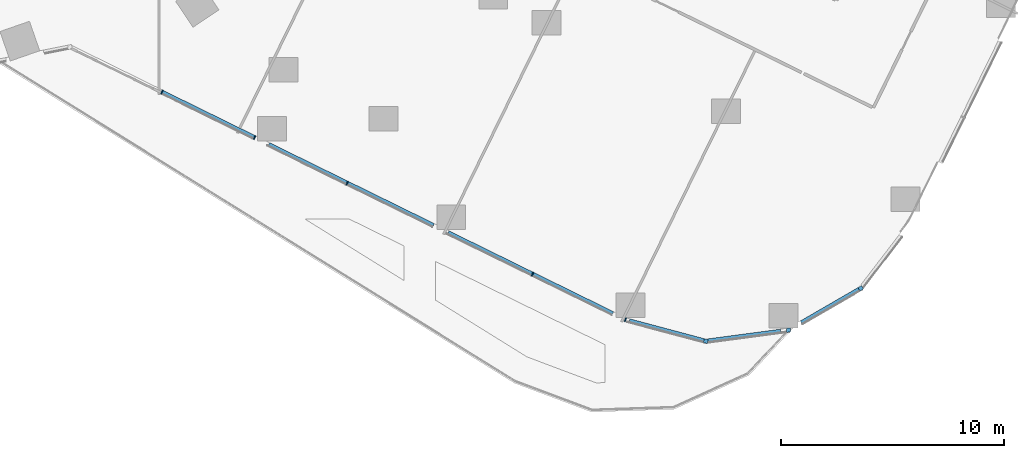
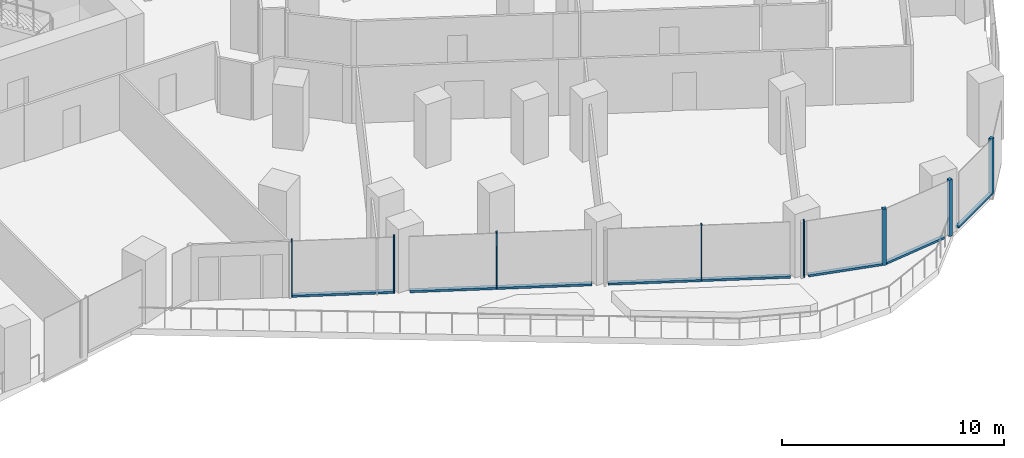
# One storey, part 8 of 32: 14 members, 4 elements without a shape of their own.
"""IFC4 building model written with IfcOpenShell, lengths in metres."""

from ifc_helpers import new_model, si_unit, direction, frame, origin, origin_2d, place, context, subcontext, project, spatial, rectangle, extrude, material, material_profile, profile_set, type_object, element, aggregate, save


model = new_model("IFC4")

# Units and contexts
model_context = context("Model", 3, precision=1e-05, world=origin(), true_north=direction((0.0, 1.0)))
body_context = subcontext(model_context, "Body", "Model", "MODEL_VIEW")
ifc_project = project(units=[si_unit("LENGTHUNIT", "METRE"), si_unit("AREAUNIT", "SQUARE_METRE"), si_unit("VOLUMEUNIT", "CUBIC_METRE"), si_unit("PLANEANGLEUNIT", "RADIAN"), si_unit("MASSUNIT", "GRAM", prefix="KILO")], contexts=[model_context])

# Site, building, storey
site_placement = place(None, origin())
site = spatial("IfcSite", under=ifc_project, at=site_placement, CompositionType="ELEMENT")
building_placement = place(site_placement, origin())
building = spatial("IfcBuilding", under=site, at=building_placement, Name="Orlundy Tower", CompositionType="ELEMENT")
storey_placement = place(building_placement, frame((0.0, 0.0, 58.800048828125)))
storey = spatial("IfcBuildingStorey", under=building, at=storey_placement, Name="L13", CompositionType="ELEMENT", Elevation=58.800048828125)

# Curtain wall, member
ifc_material_1 = material(Name="Aluminium bronze anodised", Category="aluminium")
curtain_wall_type = type_object("IfcCurtainWallType", Name="CW1 wall", PredefinedType="NOTDEFINED", material=ifc_material_1)
curtain_wall_1_placement = place(storey_placement, origin())
curtain_wall_1 = element("IfcCurtainWall", 1, at=curtain_wall_1_placement, inside=storey, type_object=curtain_wall_type, Name="CW1 run 025", PredefinedType="NOTDEFINED")
ifc_material_2 = material(Name="Aluminium bronze anodised", Category="aluminium")
ifc_material_profile_1 = material_profile(ifc_material_2, rectangle(XDim=0.179931640625, YDim=0.179931640625, at=origin_2d()), Name="CW1 corner post 180x180")
ifc_profile_set_1 = profile_set([ifc_material_profile_1], Name="Aluminium bronze anodised")
member_type_1 = type_object("IfcMemberType", Name="CW1 corner post 180x180", PredefinedType="MULLION", material=ifc_profile_set_1)
member_1_placement = place(storey_placement, frame((47.4775390625, -39.115966796875, 0.0), z_axis=(0.0, 0.0, 1.0), x_axis=(0.501302135928, -0.865272308879, 0.0)))
member_1 = element("IfcMember", 2, at=member_1_placement, type_object=member_type_1, Name="CW1 mullion 66", PredefinedType="MULLION", context=body_context, shape_type="SweptSolid", body=[
    extrude(rectangle(XDim=0.179931640625, YDim=0.179931640625, at=origin_2d()), origin(), (0.0, 0.0, 1.0), 3.099853515625),
])

curtain_wall_2_placement = place(storey_placement, origin())
curtain_wall_2 = element("IfcCurtainWall", 3, at=curtain_wall_2_placement, inside=storey, type_object=curtain_wall_type, Name="CW1 run 026", PredefinedType="NOTDEFINED")
member_2_placement = place(storey_placement, frame((44.23974609375, -40.991943359375, 0.0), z_axis=(0.0, 0.0, 1.0), x_axis=(0.132163720098, -0.991227900682, 0.0)))
member_2 = element("IfcMember", 4, at=member_2_placement, type_object=member_type_1, Name="CW1 mullion 67", PredefinedType="MULLION", context=body_context, shape_type="SweptSolid", body=[
    extrude(rectangle(XDim=0.179931640625, YDim=0.179931640625, at=origin_2d()), origin(), (0.0, 0.0, 1.0), 3.099853515625),
])

curtain_wall_3_placement = place(storey_placement, origin())
curtain_wall_3 = element("IfcCurtainWall", 5, at=curtain_wall_3_placement, inside=storey, type_object=curtain_wall_type, Name="CW1 run 027", PredefinedType="NOTDEFINED")
member_3_placement = place(storey_placement, frame((40.529052734375, -41.486572265625, 0.0), z_axis=(0.0, 0.0, 1.0), x_axis=(-0.25767944438, -0.966230461093, 0.0)))
member_3 = element("IfcMember", 6, at=member_3_placement, type_object=member_type_1, Name="CW1 mullion 68", PredefinedType="MULLION", context=body_context, shape_type="SweptSolid", body=[
    extrude(rectangle(XDim=0.179931640625, YDim=0.179931640625, at=origin_2d()), origin(), (0.0, 0.0, 1.0), 3.099853515625),
])

# Curtain wall, members
curtain_wall_4_placement = place(storey_placement, origin())
curtain_wall_4 = element("IfcCurtainWall", 7, at=curtain_wall_4_placement, inside=storey, type_object=curtain_wall_type, Name="CW1 run 00", PredefinedType="NOTDEFINED")
ifc_material_3 = material(Name="Aluminium bronze anodised", Category="aluminium")
ifc_material_profile_2 = material_profile(ifc_material_3, rectangle(XDim=0.179931640625, YDim=0.050048828125, at=origin_2d()), Name="CW1 mullion 50x180")
ifc_profile_set_2 = profile_set([ifc_material_profile_2], Name="Aluminium bronze anodised")
member_type_2 = type_object("IfcMemberType", Name="CW1 mullion 50x180", PredefinedType="MULLION", material=ifc_profile_set_2)
member_4_placement = place(storey_placement, frame((36.92236328125, -40.524658203125, 0.0), z_axis=(0.0, 0.0, 1.0), x_axis=(-0.351009416126, -0.936371929198, 0.0)))
member_4 = element("IfcMember", 8, at=member_4_placement, type_object=member_type_2, Name="CW1 mullion 1", PredefinedType="MULLION", context=body_context, shape_type="SweptSolid", body=[
    extrude(rectangle(XDim=0.179931640625, YDim=0.050048828125, at=origin_2d()), origin(), (0.0, 0.0, 1.0), 3.099853515625),
])
member_5_placement = place(storey_placement, frame((32.758056640625, -38.478759765625, 0.0), z_axis=(0.0, 0.0, 1.0), x_axis=(-0.440968989984, -0.897522339484, 0.0)))
member_5 = element("IfcMember", 9, at=member_5_placement, type_object=member_type_2, Name="CW1 mullion 2", PredefinedType="MULLION", context=body_context, shape_type="SweptSolid", body=[
    extrude(rectangle(XDim=0.179931640625, YDim=0.050048828125, at=origin_2d()), origin(), (0.0, 0.0, 1.0), 3.099853515625),
])
member_6_placement = place(storey_placement, frame((24.44580078125, -34.394775390625, 0.0), z_axis=(0.0, 0.0, 1.0), x_axis=(-0.440968989984, -0.897522339484, 0.0)))
member_6 = element("IfcMember", 10, at=member_6_placement, type_object=member_type_2, Name="CW1 mullion 4", PredefinedType="MULLION", context=body_context, shape_type="SweptSolid", body=[
    extrude(rectangle(XDim=0.179931640625, YDim=0.050048828125, at=origin_2d()), origin(), (0.0, 0.0, 1.0), 3.099853515625),
])
member_7_placement = place(storey_placement, frame((20.28955078125, -32.352783203125, 0.0), z_axis=(0.0, 0.0, 1.0), x_axis=(-0.440968989984, -0.897522339484, 0.0)))
member_7 = element("IfcMember", 11, at=member_7_placement, type_object=member_type_2, Name="CW1 mullion 5", PredefinedType="MULLION", context=body_context, shape_type="SweptSolid", body=[
    extrude(rectangle(XDim=0.179931640625, YDim=0.050048828125, at=origin_2d()), origin(), (0.0, 0.0, 1.0), 3.099853515625),
])
member_8_placement = place(storey_placement, frame((16.133544921875, -30.310791015625, 0.0), z_axis=(0.0, 0.0, 1.0), x_axis=(-0.440968989984, -0.897522339484, 0.0)))
member_8 = element("IfcMember", 12, at=member_8_placement, type_object=member_type_2, Name="CW1 mullion 6", PredefinedType="MULLION", context=body_context, shape_type="SweptSolid", body=[
    extrude(rectangle(XDim=0.179931640625, YDim=0.050048828125, at=origin_2d()), origin(), (0.0, 0.0, 1.0), 3.099853515625),
])
ifc_material_4 = material(Name="Aluminium bronze anodised", Category="aluminium")
ifc_material_profile_3 = material_profile(ifc_material_4, rectangle(XDim=0.179931640625, YDim=0.1201171875, at=origin_2d()), Name="CW1 transom 180x120")
ifc_profile_set_3 = profile_set([ifc_material_profile_3], Name="Aluminium bronze anodised")
member_type_3 = type_object("IfcMemberType", Name="CW1 transom 180x120", PredefinedType="USERDEFINED", material=ifc_profile_set_3)
member_9_placement = place(storey_placement, frame((36.35791015625, -40.24755859375, 0.06005859375), z_axis=(-0.897508396763, 0.440997367045, 0.0), x_axis=(-0.440997367045, -0.897508396763, 0.0)))
member_9 = element("IfcMember", 13, at=member_9_placement, type_object=member_type_3, Name="CW1 transom", ObjectType="TRANSOM", PredefinedType="USERDEFINED", context=body_context, shape_type="SweptSolid", body=[
    extrude(rectangle(XDim=0.179931640625, YDim=0.1201171875, at=origin_2d()), origin(), (0.0, 0.0, 1.0), 8.23046875),
])
member_10_placement = place(storey_placement, frame((28.31103515625, -36.293701171875, 0.06005859375), z_axis=(-0.897531468233, 0.440950409379, 0.0), x_axis=(-0.440950409379, -0.897531468233, 0.0)))
member_10 = element("IfcMember", 14, at=member_10_placement, type_object=member_type_3, Name="CW1 transom", ObjectType="TRANSOM", PredefinedType="USERDEFINED", context=body_context, shape_type="SweptSolid", body=[
    extrude(rectangle(XDim=0.179931640625, YDim=0.1201171875, at=origin_2d()), origin(), (0.0, 0.0, 1.0), 8.2314453125),
])
member_11_placement = place(storey_placement, frame((20.262939453125, -32.339599609375, 0.06005859375), z_axis=(-0.897521356355, 0.440970990981, 0.0), x_axis=(-0.440970990981, -0.897521356355, 0.0)))
member_11 = element("IfcMember", 15, at=member_11_placement, type_object=member_type_3, Name="CW1 transom", ObjectType="TRANSOM", PredefinedType="USERDEFINED", context=body_context, shape_type="SweptSolid", body=[
    extrude(rectangle(XDim=0.179931640625, YDim=0.1201171875, at=origin_2d()), origin(), (0.0, 0.0, 1.0), 4.575927734375),
])
aggregate(curtain_wall_4, [member_4, member_5, member_6, member_7, member_8, member_9, member_10, member_11])

# Member
member_12_placement = place(storey_placement, frame((47.399658203125, -39.1611328125, 0.06005859375), z_axis=(-0.865284440007, -0.501281196417, 0.0), x_axis=(0.501281196417, -0.865284440007, 0.0)))
member_12 = element("IfcMember", 16, at=member_12_placement, type_object=member_type_3, Name="CW1 transom", ObjectType="TRANSOM", PredefinedType="USERDEFINED", context=body_context, shape_type="SweptSolid", body=[
    extrude(rectangle(XDim=0.179931640625, YDim=0.1201171875, at=origin_2d()), origin(), (0.0, 0.0, 1.0), 2.986083984375),
])

aggregate(curtain_wall_1, [member_1, member_12])

member_13_placement = place(storey_placement, frame((43.8935546875, -41.0380859375, 0.06005859375), z_axis=(-0.991234367235, -0.13211521189, 0.0), x_axis=(0.13211521189, -0.991234367235, 0.0)))
member_13 = element("IfcMember", 17, at=member_13_placement, type_object=member_type_3, Name="CW1 transom", ObjectType="TRANSOM", PredefinedType="USERDEFINED", context=body_context, shape_type="SweptSolid", body=[
    extrude(rectangle(XDim=0.179931640625, YDim=0.1201171875, at=origin_2d()), origin(), (0.0, 0.0, 1.0), 3.296630859375),
])

aggregate(curtain_wall_2, [member_2, member_13])

member_14_placement = place(storey_placement, frame((40.442138671875, -41.46337890625, 0.06005859375), z_axis=(-0.966229075732, 0.257684639064, 0.0), x_axis=(-0.257684639064, -0.966229075732, 0.0)))
member_14 = element("IfcMember", 18, at=member_14_placement, type_object=member_type_3, Name="CW1 transom", ObjectType="TRANSOM", PredefinedType="USERDEFINED", context=body_context, shape_type="SweptSolid", body=[
    extrude(rectangle(XDim=0.179931640625, YDim=0.1201171875, at=origin_2d()), origin(), (0.0, 0.0, 1.0), 3.455322265625),
])

aggregate(curtain_wall_3, [member_3, member_14])

save(model, "model.ifc")
